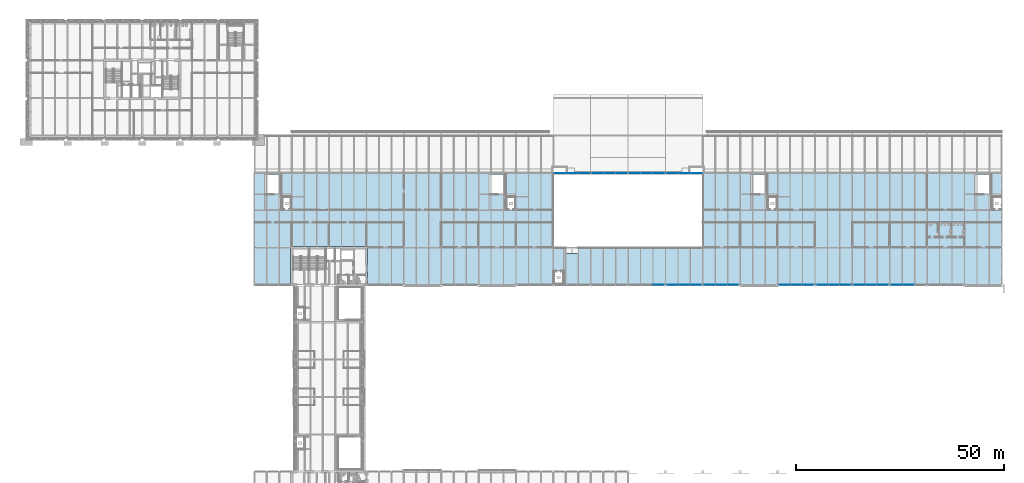
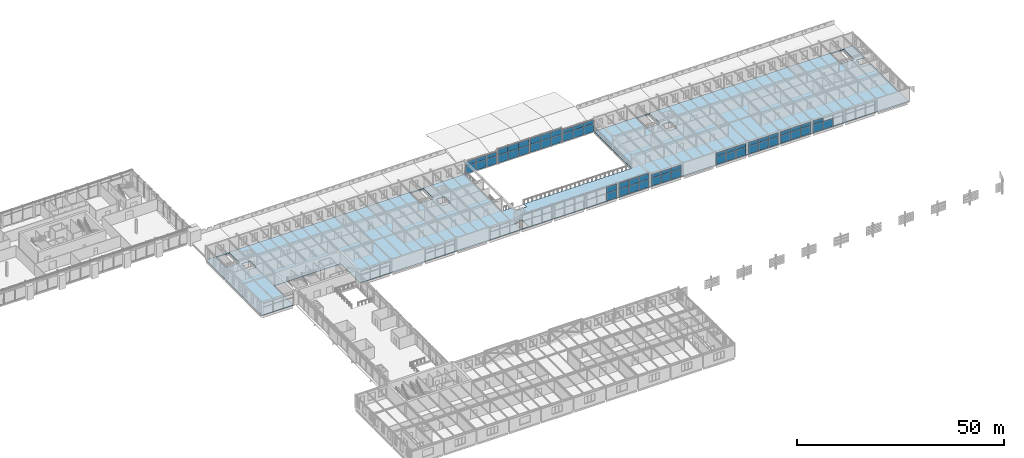
# One storey, part 56 of 123: 59 plates, 1 slab, 11 elements without a shape of their own.
"""IFC4 building model written with IfcOpenShell, lengths in metres."""

from ifc_helpers import new_model, si_unit, direction, frame, origin, origin_2d, place, context, subcontext, project, spatial, polyline, rectangle, outline, extrude, material, layer, layer_set, type_object, element, aggregate, save


model = new_model("IFC4")

# Units and contexts
model_context = context("Model", 3, precision=1e-05, world=origin(), true_north=direction((0.0, 1.0)))
body_context = subcontext(model_context, "Body", "Model", "MODEL_VIEW")
ifc_project = project(units=[si_unit("LENGTHUNIT", "METRE"), si_unit("AREAUNIT", "SQUARE_METRE"), si_unit("VOLUMEUNIT", "CUBIC_METRE"), si_unit("PLANEANGLEUNIT", "RADIAN"), si_unit("MASSUNIT", "GRAM", prefix="KILO")], contexts=[model_context])

# Site, building, storey
site_placement = place(None, origin())
site = spatial("IfcSite", under=ifc_project, at=site_placement, CompositionType="ELEMENT")
building_placement = place(site_placement, origin())
building = spatial("IfcBuilding", under=site, at=building_placement, Name="Baradari Gate Terminus", CompositionType="ELEMENT")
storey_placement = place(building_placement, frame((0.0, 0.0, 7.5)))
storey = spatial("IfcBuildingStorey", under=building, at=storey_placement, Name="L01", CompositionType="ELEMENT", Elevation=7.5)

# Slab
ifc_material_1 = material(Name="Concrete C35/45", Category="concrete")
ifc_layer_1 = layer(ifc_material_1, 0.1298828125)
ifc_layer_set_1 = layer_set([ifc_layer_1], Name="Concrete C35/45")
slab_type = type_object("IfcSlabType", Name="Composite floor slab SL1 130", PredefinedType="FLOOR", material=ifc_layer_set_1)
slab_placement = place(storey_placement, frame((0.0, 0.0, -0.1298828125)))
element("IfcSlab", 1, at=slab_placement, inside=storey, type_object=slab_type, Name="Head-house floor", PredefinedType="FLOOR", context=body_context, shape_type="SweptSolid", body=[
    extrude(outline(polyline([(240.60009765625, 99.199951171875), (240.60009765625, 102.199951171875), (243.0, 102.199951171875), (243.0, 108.0), (171.0, 108.0), (171.0, 90.0), (141.0, 90.0), (141.0, 88.60009765625), (138.0, 88.60009765625), (138.0, 90.0), (135.0, 90.0), (135.0, 108.0), (63.0, 108.0), (63.0, 81.0), (71.699951171875, 81.0), (71.699951171875, 81.300048828125), (71.699951171875, 89.699951171875), (71.699951171875, 90.300048828125), (90.300048828125, 90.300048828125), (90.300048828125, 89.699951171875), (90.300048828125, 81.300048828125), (90.300048828125, 81.0), (243.0, 81.0), (243.0, 99.199951171875), (240.60009765625, 99.199951171875)]), holes=[polyline([(240.39990234375, 102.800048828125), (240.39990234375, 107.60009765625), (236.60009765625, 107.60009765625), (236.60009765625, 102.800048828125), (240.39990234375, 102.800048828125)]), polyline([(189.0, 102.199951171875), (186.60009765625, 102.199951171875), (186.60009765625, 99.199951171875), (189.0, 99.199951171875), (189.0, 102.199951171875)]), polyline([(182.60009765625, 107.60009765625), (182.60009765625, 102.800048828125), (186.39990234375, 102.800048828125), (186.39990234375, 107.60009765625), (182.60009765625, 107.60009765625)]), polyline([(135.199951171875, 81.300048828125), (137.39990234375, 81.300048828125), (137.39990234375, 84.39990234375), (135.199951171875, 84.39990234375), (135.199951171875, 81.300048828125)]), polyline([(123.60009765625, 99.199951171875), (126.0, 99.199951171875), (126.0, 102.199951171875), (123.60009765625, 102.199951171875), (123.60009765625, 99.199951171875)]), polyline([(123.39990234375, 102.800048828125), (123.39990234375, 107.60009765625), (119.60009765625, 107.60009765625), (119.60009765625, 102.800048828125), (123.39990234375, 102.800048828125)]), polyline([(72.0, 102.199951171875), (69.60009765625, 102.199951171875), (69.60009765625, 99.199951171875), (72.0, 99.199951171875), (72.0, 102.199951171875)]), polyline([(65.60009765625, 107.60009765625), (65.60009765625, 102.800048828125), (69.39990234375, 102.800048828125), (69.39990234375, 107.60009765625), (65.60009765625, 107.60009765625)])]), origin(), (0.0, 0.0, 1.0), 0.1298828125),
])

# Curtain wall, plates
ifc_material_2 = material(Name="Aluminium 6063-T6", Category="aluminium")
curtain_wall_type_1 = type_object("IfcCurtainWallType", Name="Curtain wall CW-11 concourse gallery glazing, other height", PredefinedType="NOTDEFINED", material=ifc_material_2)
curtain_wall_1_placement = place(storey_placement, origin())
curtain_wall_1 = element("IfcCurtainWall", 2, at=curtain_wall_1_placement, inside=storey, type_object=curtain_wall_type_1, Name="Glazed curtain wall CW-11 HS bay 18 L01", PredefinedType="NOTDEFINED")
ifc_material_3 = material(Name="Insulating glass unit", Category="glass")
ifc_layer_2 = layer(ifc_material_3, 0.0400390625)
ifc_layer_set_2 = layer_set([ifc_layer_2], Name="Insulating glass unit")
plate_type_1 = type_object("IfcPlateType", Name="Curtain wall glazing unit CP-11 40", PredefinedType="CURTAIN_PANEL", material=ifc_layer_set_2)
plate_1_placement = place(storey_placement, frame((160.276611328125, 81.0, 0.080078125), z_axis=(0.0, 0.0, 1.0), x_axis=(1.0, 0.0, 0.0)))
plate_1 = element("IfcPlate", 3, at=plate_1_placement, type_object=plate_type_1, Name="CW-11 panel 3.1", PredefinedType="CURTAIN_PANEL", context=body_context, shape_type="SweptSolid", body=[
    extrude(rectangle(XDim=2.6767578125, YDim=0.0400390625, at=origin_2d()), origin(), (0.0, 0.0, 1.0), 2.280029296875),
])
plate_2_placement = place(storey_placement, frame((160.276611328125, 81.0, 2.43994140625), z_axis=(0.0, 0.0, 1.0), x_axis=(1.0, 0.0, 0.0)))
plate_2 = element("IfcPlate", 4, at=plate_2_placement, type_object=plate_type_1, Name="CW-11 panel 3.2", PredefinedType="CURTAIN_PANEL", context=body_context, shape_type="SweptSolid", body=[
    extrude(rectangle(XDim=2.6767578125, YDim=0.0400390625, at=origin_2d()), origin(), (0.0, 0.0, 1.0), 1.679931640625),
])
aggregate(curtain_wall_1, [plate_1, plate_2])

curtain_wall_2_placement = place(storey_placement, origin())
curtain_wall_2 = element("IfcCurtainWall", 5, at=curtain_wall_2_placement, inside=storey, type_object=curtain_wall_type_1, Name="Glazed curtain wall CW-11 HS bay 19 L01", PredefinedType="NOTDEFINED")
plate_3_placement = place(storey_placement, frame((163.723388671875, 81.0, 0.080078125), z_axis=(0.0, 0.0, 1.0), x_axis=(1.0, 0.0, 0.0)))
plate_3 = element("IfcPlate", 6, at=plate_3_placement, type_object=plate_type_1, Name="CW-11 panel 1.1", PredefinedType="CURTAIN_PANEL", context=body_context, shape_type="SweptSolid", body=[
    extrude(rectangle(XDim=2.6767578125, YDim=0.0400390625, at=origin_2d()), origin(), (0.0, 0.0, 1.0), 2.280029296875),
])
plate_4_placement = place(storey_placement, frame((163.723388671875, 81.0, 2.43994140625), z_axis=(0.0, 0.0, 1.0), x_axis=(1.0, 0.0, 0.0)))
plate_4 = element("IfcPlate", 7, at=plate_4_placement, type_object=plate_type_1, Name="CW-11 panel 1.2", PredefinedType="CURTAIN_PANEL", context=body_context, shape_type="SweptSolid", body=[
    extrude(rectangle(XDim=2.6767578125, YDim=0.0400390625, at=origin_2d()), origin(), (0.0, 0.0, 1.0), 1.679931640625),
])
plate_5_placement = place(storey_placement, frame((166.5, 81.0, 0.080078125), z_axis=(0.0, 0.0, 1.0), x_axis=(1.0, 0.0, 0.0)))
plate_5 = element("IfcPlate", 8, at=plate_5_placement, type_object=plate_type_1, Name="CW-11 panel 2.1", PredefinedType="CURTAIN_PANEL", context=body_context, shape_type="SweptSolid", body=[
    extrude(rectangle(XDim=2.716552734375, YDim=0.0400390625, at=origin_2d()), origin(), (0.0, 0.0, 1.0), 2.280029296875),
])
plate_6_placement = place(storey_placement, frame((166.5, 81.0, 2.43994140625), z_axis=(0.0, 0.0, 1.0), x_axis=(1.0, 0.0, 0.0)))
plate_6 = element("IfcPlate", 9, at=plate_6_placement, type_object=plate_type_1, Name="CW-11 panel 2.2", PredefinedType="CURTAIN_PANEL", context=body_context, shape_type="SweptSolid", body=[
    extrude(rectangle(XDim=2.716552734375, YDim=0.0400390625, at=origin_2d()), origin(), (0.0, 0.0, 1.0), 1.679931640625),
])
plate_7_placement = place(storey_placement, frame((169.276611328125, 81.0, 0.080078125), z_axis=(0.0, 0.0, 1.0), x_axis=(1.0, 0.0, 0.0)))
plate_7 = element("IfcPlate", 10, at=plate_7_placement, type_object=plate_type_1, Name="CW-11 panel 3.1", PredefinedType="CURTAIN_PANEL", context=body_context, shape_type="SweptSolid", body=[
    extrude(rectangle(XDim=2.6767578125, YDim=0.0400390625, at=origin_2d()), origin(), (0.0, 0.0, 1.0), 2.280029296875),
])
plate_8_placement = place(storey_placement, frame((169.276611328125, 81.0, 2.43994140625), z_axis=(0.0, 0.0, 1.0), x_axis=(1.0, 0.0, 0.0)))
plate_8 = element("IfcPlate", 11, at=plate_8_placement, type_object=plate_type_1, Name="CW-11 panel 3.2", PredefinedType="CURTAIN_PANEL", context=body_context, shape_type="SweptSolid", body=[
    extrude(rectangle(XDim=2.6767578125, YDim=0.0400390625, at=origin_2d()), origin(), (0.0, 0.0, 1.0), 1.679931640625),
])
aggregate(curtain_wall_2, [plate_3, plate_4, plate_5, plate_6, plate_7, plate_8])

ifc_material_4 = material(Name="Aluminium 6063-T6", Category="aluminium")
curtain_wall_type_2 = type_object("IfcCurtainWallType", Name="Curtain wall CW-13 concourse gallery glazing", PredefinedType="NOTDEFINED", material=ifc_material_4)
curtain_wall_3_placement = place(storey_placement, origin())
curtain_wall_3 = element("IfcCurtainWall", 12, at=curtain_wall_3_placement, inside=storey, type_object=curtain_wall_type_2, Name="Glazed curtain wall CW-13 HS bay 20 L01", PredefinedType="NOTDEFINED")
ifc_material_5 = material(Name="Insulating glass unit", Category="glass")
ifc_layer_3 = layer(ifc_material_5, 0.0400390625)
ifc_layer_set_3 = layer_set([ifc_layer_3], Name="Insulating glass unit")
plate_type_2 = type_object("IfcPlateType", Name="Curtain wall glazing unit CP-13 40", PredefinedType="CURTAIN_PANEL", material=ifc_layer_set_3)
plate_9_placement = place(storey_placement, frame((172.71484375, 81.0, 0.080078125), z_axis=(0.0, 0.0, 1.0), x_axis=(1.0, 0.0, 0.0)))
plate_9 = element("IfcPlate", 13, at=plate_9_placement, type_object=plate_type_2, Name="CW-13 panel 1.1", PredefinedType="CURTAIN_PANEL", context=body_context, shape_type="SweptSolid", body=[
    extrude(rectangle(XDim=2.659912109375, YDim=0.0400390625, at=origin_2d()), origin(), (0.0, 0.0, 1.0), 2.280029296875),
])
plate_10_placement = place(storey_placement, frame((172.71484375, 81.0, 2.43994140625), z_axis=(0.0, 0.0, 1.0), x_axis=(1.0, 0.0, 0.0)))
plate_10 = element("IfcPlate", 14, at=plate_10_placement, type_object=plate_type_2, Name="CW-13 panel 1.2", PredefinedType="CURTAIN_PANEL", context=body_context, shape_type="SweptSolid", body=[
    extrude(rectangle(XDim=2.659912109375, YDim=0.0400390625, at=origin_2d()), origin(), (0.0, 0.0, 1.0), 0.996826171875),
])
plate_11_placement = place(storey_placement, frame((175.474853515625, 81.0, 0.080078125), z_axis=(0.0, 0.0, 1.0), x_axis=(1.0, 0.0, 0.0)))
plate_11 = element("IfcPlate", 15, at=plate_11_placement, type_object=plate_type_2, Name="CW-13 panel 2.1", PredefinedType="CURTAIN_PANEL", context=body_context, shape_type="SweptSolid", body=[
    extrude(rectangle(XDim=2.699951171875, YDim=0.0400390625, at=origin_2d()), origin(), (0.0, 0.0, 1.0), 2.280029296875),
])
plate_12_placement = place(storey_placement, frame((175.474853515625, 81.0, 2.43994140625), z_axis=(0.0, 0.0, 1.0), x_axis=(1.0, 0.0, 0.0)))
plate_12 = element("IfcPlate", 16, at=plate_12_placement, type_object=plate_type_2, Name="CW-13 panel 2.2", PredefinedType="CURTAIN_PANEL", context=body_context, shape_type="SweptSolid", body=[
    extrude(rectangle(XDim=2.699951171875, YDim=0.0400390625, at=origin_2d()), origin(), (0.0, 0.0, 1.0), 0.996826171875),
])
plate_13_placement = place(storey_placement, frame((178.234619140625, 81.0, 0.080078125), z_axis=(0.0, 0.0, 1.0), x_axis=(1.0, 0.0, 0.0)))
plate_13 = element("IfcPlate", 17, at=plate_13_placement, type_object=plate_type_2, Name="CW-13 panel 3.1", PredefinedType="CURTAIN_PANEL", context=body_context, shape_type="SweptSolid", body=[
    extrude(rectangle(XDim=2.659912109375, YDim=0.0400390625, at=origin_2d()), origin(), (0.0, 0.0, 1.0), 2.280029296875),
])
plate_14_placement = place(storey_placement, frame((178.234619140625, 81.0, 2.43994140625), z_axis=(0.0, 0.0, 1.0), x_axis=(1.0, 0.0, 0.0)))
plate_14 = element("IfcPlate", 18, at=plate_14_placement, type_object=plate_type_2, Name="CW-13 panel 3.2", PredefinedType="CURTAIN_PANEL", context=body_context, shape_type="SweptSolid", body=[
    extrude(rectangle(XDim=2.659912109375, YDim=0.0400390625, at=origin_2d()), origin(), (0.0, 0.0, 1.0), 0.996826171875),
])
aggregate(curtain_wall_3, [plate_9, plate_10, plate_11, plate_12, plate_13, plate_14])

curtain_wall_4_placement = place(storey_placement, origin())
curtain_wall_4 = element("IfcCurtainWall", 19, at=curtain_wall_4_placement, inside=storey, type_object=curtain_wall_type_2, Name="Glazed curtain wall CW-13 HS bay 22 L01", PredefinedType="NOTDEFINED")
plate_15_placement = place(storey_placement, frame((190.765380859375, 81.0, 0.080078125), z_axis=(0.0, 0.0, 1.0), x_axis=(1.0, 0.0, 0.0)))
plate_15 = element("IfcPlate", 20, at=plate_15_placement, type_object=plate_type_2, Name="CW-13 panel 1.1", PredefinedType="CURTAIN_PANEL", context=body_context, shape_type="SweptSolid", body=[
    extrude(rectangle(XDim=2.659912109375, YDim=0.0400390625, at=origin_2d()), origin(), (0.0, 0.0, 1.0), 2.280029296875),
])
plate_16_placement = place(storey_placement, frame((190.765380859375, 81.0, 2.43994140625), z_axis=(0.0, 0.0, 1.0), x_axis=(1.0, 0.0, 0.0)))
plate_16 = element("IfcPlate", 21, at=plate_16_placement, type_object=plate_type_2, Name="CW-13 panel 1.2", PredefinedType="CURTAIN_PANEL", context=body_context, shape_type="SweptSolid", body=[
    extrude(rectangle(XDim=2.659912109375, YDim=0.0400390625, at=origin_2d()), origin(), (0.0, 0.0, 1.0), 0.996826171875),
])
plate_17_placement = place(storey_placement, frame((193.525146484375, 81.0, 0.080078125), z_axis=(0.0, 0.0, 1.0), x_axis=(1.0, 0.0, 0.0)))
plate_17 = element("IfcPlate", 22, at=plate_17_placement, type_object=plate_type_2, Name="CW-13 panel 2.1", PredefinedType="CURTAIN_PANEL", context=body_context, shape_type="SweptSolid", body=[
    extrude(rectangle(XDim=2.699951171875, YDim=0.0400390625, at=origin_2d()), origin(), (0.0, 0.0, 1.0), 2.280029296875),
])
plate_18_placement = place(storey_placement, frame((193.525146484375, 81.0, 2.43994140625), z_axis=(0.0, 0.0, 1.0), x_axis=(1.0, 0.0, 0.0)))
plate_18 = element("IfcPlate", 23, at=plate_18_placement, type_object=plate_type_2, Name="CW-13 panel 2.2", PredefinedType="CURTAIN_PANEL", context=body_context, shape_type="SweptSolid", body=[
    extrude(rectangle(XDim=2.699951171875, YDim=0.0400390625, at=origin_2d()), origin(), (0.0, 0.0, 1.0), 0.996826171875),
])
plate_19_placement = place(storey_placement, frame((196.28515625, 81.0, 0.080078125), z_axis=(0.0, 0.0, 1.0), x_axis=(1.0, 0.0, 0.0)))
plate_19 = element("IfcPlate", 24, at=plate_19_placement, type_object=plate_type_2, Name="CW-13 panel 3.1", PredefinedType="CURTAIN_PANEL", context=body_context, shape_type="SweptSolid", body=[
    extrude(rectangle(XDim=2.659912109375, YDim=0.0400390625, at=origin_2d()), origin(), (0.0, 0.0, 1.0), 2.280029296875),
])
plate_20_placement = place(storey_placement, frame((196.28515625, 81.0, 2.43994140625), z_axis=(0.0, 0.0, 1.0), x_axis=(1.0, 0.0, 0.0)))
plate_20 = element("IfcPlate", 25, at=plate_20_placement, type_object=plate_type_2, Name="CW-13 panel 3.2", PredefinedType="CURTAIN_PANEL", context=body_context, shape_type="SweptSolid", body=[
    extrude(rectangle(XDim=2.659912109375, YDim=0.0400390625, at=origin_2d()), origin(), (0.0, 0.0, 1.0), 0.996826171875),
])
aggregate(curtain_wall_4, [plate_15, plate_16, plate_17, plate_18, plate_19, plate_20])

curtain_wall_5_placement = place(storey_placement, origin())
curtain_wall_5 = element("IfcCurtainWall", 26, at=curtain_wall_5_placement, inside=storey, type_object=curtain_wall_type_2, Name="Glazed curtain wall CW-13 HS bay 23 L01", PredefinedType="NOTDEFINED")
plate_21_placement = place(storey_placement, frame((199.723388671875, 81.0, 0.080078125), z_axis=(0.0, 0.0, 1.0), x_axis=(1.0, 0.0, 0.0)))
plate_21 = element("IfcPlate", 27, at=plate_21_placement, type_object=plate_type_2, Name="CW-13 panel 1.1", PredefinedType="CURTAIN_PANEL", context=body_context, shape_type="SweptSolid", body=[
    extrude(rectangle(XDim=2.6767578125, YDim=0.0400390625, at=origin_2d()), origin(), (0.0, 0.0, 1.0), 2.280029296875),
])
plate_22_placement = place(storey_placement, frame((199.723388671875, 81.0, 2.43994140625), z_axis=(0.0, 0.0, 1.0), x_axis=(1.0, 0.0, 0.0)))
plate_22 = element("IfcPlate", 28, at=plate_22_placement, type_object=plate_type_2, Name="CW-13 panel 1.2", PredefinedType="CURTAIN_PANEL", context=body_context, shape_type="SweptSolid", body=[
    extrude(rectangle(XDim=2.6767578125, YDim=0.0400390625, at=origin_2d()), origin(), (0.0, 0.0, 1.0), 0.996826171875),
])
plate_23_placement = place(storey_placement, frame((202.5, 81.0, 0.080078125), z_axis=(0.0, 0.0, 1.0), x_axis=(1.0, 0.0, 0.0)))
plate_23 = element("IfcPlate", 29, at=plate_23_placement, type_object=plate_type_2, Name="CW-13 panel 2.1", PredefinedType="CURTAIN_PANEL", context=body_context, shape_type="SweptSolid", body=[
    extrude(rectangle(XDim=2.716552734375, YDim=0.0400390625, at=origin_2d()), origin(), (0.0, 0.0, 1.0), 2.280029296875),
])
plate_24_placement = place(storey_placement, frame((202.5, 81.0, 2.43994140625), z_axis=(0.0, 0.0, 1.0), x_axis=(1.0, 0.0, 0.0)))
plate_24 = element("IfcPlate", 30, at=plate_24_placement, type_object=plate_type_2, Name="CW-13 panel 2.2", PredefinedType="CURTAIN_PANEL", context=body_context, shape_type="SweptSolid", body=[
    extrude(rectangle(XDim=2.716552734375, YDim=0.0400390625, at=origin_2d()), origin(), (0.0, 0.0, 1.0), 0.996826171875),
])
plate_25_placement = place(storey_placement, frame((205.276611328125, 81.0, 0.080078125), z_axis=(0.0, 0.0, 1.0), x_axis=(1.0, 0.0, 0.0)))
plate_25 = element("IfcPlate", 31, at=plate_25_placement, type_object=plate_type_2, Name="CW-13 panel 3.1", PredefinedType="CURTAIN_PANEL", context=body_context, shape_type="SweptSolid", body=[
    extrude(rectangle(XDim=2.6767578125, YDim=0.0400390625, at=origin_2d()), origin(), (0.0, 0.0, 1.0), 2.280029296875),
])
plate_26_placement = place(storey_placement, frame((205.276611328125, 81.0, 2.43994140625), z_axis=(0.0, 0.0, 1.0), x_axis=(1.0, 0.0, 0.0)))
plate_26 = element("IfcPlate", 32, at=plate_26_placement, type_object=plate_type_2, Name="CW-13 panel 3.2", PredefinedType="CURTAIN_PANEL", context=body_context, shape_type="SweptSolid", body=[
    extrude(rectangle(XDim=2.6767578125, YDim=0.0400390625, at=origin_2d()), origin(), (0.0, 0.0, 1.0), 0.996826171875),
])
aggregate(curtain_wall_5, [plate_21, plate_22, plate_23, plate_24, plate_25, plate_26])

curtain_wall_6_placement = place(storey_placement, origin())
curtain_wall_6 = element("IfcCurtainWall", 33, at=curtain_wall_6_placement, inside=storey, type_object=curtain_wall_type_2, Name="Glazed curtain wall CW-13 HS bay 24 L01", PredefinedType="NOTDEFINED")
plate_27_placement = place(storey_placement, frame((208.723388671875, 81.0, 0.080078125), z_axis=(0.0, 0.0, 1.0), x_axis=(1.0, 0.0, 0.0)))
plate_27 = element("IfcPlate", 34, at=plate_27_placement, type_object=plate_type_2, Name="CW-13 panel 1.1", PredefinedType="CURTAIN_PANEL", context=body_context, shape_type="SweptSolid", body=[
    extrude(rectangle(XDim=2.6767578125, YDim=0.0400390625, at=origin_2d()), origin(), (0.0, 0.0, 1.0), 2.280029296875),
])
plate_28_placement = place(storey_placement, frame((208.723388671875, 81.0, 2.43994140625), z_axis=(0.0, 0.0, 1.0), x_axis=(1.0, 0.0, 0.0)))
plate_28 = element("IfcPlate", 35, at=plate_28_placement, type_object=plate_type_2, Name="CW-13 panel 1.2", PredefinedType="CURTAIN_PANEL", context=body_context, shape_type="SweptSolid", body=[
    extrude(rectangle(XDim=2.6767578125, YDim=0.0400390625, at=origin_2d()), origin(), (0.0, 0.0, 1.0), 0.996826171875),
])
plate_29_placement = place(storey_placement, frame((211.5, 81.0, 0.080078125), z_axis=(0.0, 0.0, 1.0), x_axis=(1.0, 0.0, 0.0)))
plate_29 = element("IfcPlate", 36, at=plate_29_placement, type_object=plate_type_2, Name="CW-13 panel 2.1", PredefinedType="CURTAIN_PANEL", context=body_context, shape_type="SweptSolid", body=[
    extrude(rectangle(XDim=2.716552734375, YDim=0.0400390625, at=origin_2d()), origin(), (0.0, 0.0, 1.0), 2.280029296875),
])
plate_30_placement = place(storey_placement, frame((211.5, 81.0, 2.43994140625), z_axis=(0.0, 0.0, 1.0), x_axis=(1.0, 0.0, 0.0)))
plate_30 = element("IfcPlate", 37, at=plate_30_placement, type_object=plate_type_2, Name="CW-13 panel 2.2", PredefinedType="CURTAIN_PANEL", context=body_context, shape_type="SweptSolid", body=[
    extrude(rectangle(XDim=2.716552734375, YDim=0.0400390625, at=origin_2d()), origin(), (0.0, 0.0, 1.0), 0.996826171875),
])
plate_31_placement = place(storey_placement, frame((214.276611328125, 81.0, 0.080078125), z_axis=(0.0, 0.0, 1.0), x_axis=(1.0, 0.0, 0.0)))
plate_31 = element("IfcPlate", 38, at=plate_31_placement, type_object=plate_type_2, Name="CW-13 panel 3.1", PredefinedType="CURTAIN_PANEL", context=body_context, shape_type="SweptSolid", body=[
    extrude(rectangle(XDim=2.6767578125, YDim=0.0400390625, at=origin_2d()), origin(), (0.0, 0.0, 1.0), 2.280029296875),
])
plate_32_placement = place(storey_placement, frame((214.276611328125, 81.0, 2.43994140625), z_axis=(0.0, 0.0, 1.0), x_axis=(1.0, 0.0, 0.0)))
plate_32 = element("IfcPlate", 39, at=plate_32_placement, type_object=plate_type_2, Name="CW-13 panel 3.2", PredefinedType="CURTAIN_PANEL", context=body_context, shape_type="SweptSolid", body=[
    extrude(rectangle(XDim=2.6767578125, YDim=0.0400390625, at=origin_2d()), origin(), (0.0, 0.0, 1.0), 0.996826171875),
])
aggregate(curtain_wall_6, [plate_27, plate_28, plate_29, plate_30, plate_31, plate_32])

curtain_wall_7_placement = place(storey_placement, origin())
curtain_wall_7 = element("IfcCurtainWall", 40, at=curtain_wall_7_placement, inside=storey, type_object=curtain_wall_type_2, Name="Glazed curtain wall CW-13 HS bay 25 L01", PredefinedType="NOTDEFINED")
plate_33_placement = place(storey_placement, frame((217.723388671875, 81.0, 0.080078125), z_axis=(0.0, 0.0, 1.0), x_axis=(1.0, 0.0, 0.0)))
plate_33 = element("IfcPlate", 41, at=plate_33_placement, type_object=plate_type_2, Name="CW-13 panel 1.1", PredefinedType="CURTAIN_PANEL", context=body_context, shape_type="SweptSolid", body=[
    extrude(rectangle(XDim=2.6767578125, YDim=0.0400390625, at=origin_2d()), origin(), (0.0, 0.0, 1.0), 2.280029296875),
])
plate_34_placement = place(storey_placement, frame((217.723388671875, 81.0, 2.43994140625), z_axis=(0.0, 0.0, 1.0), x_axis=(1.0, 0.0, 0.0)))
plate_34 = element("IfcPlate", 42, at=plate_34_placement, type_object=plate_type_2, Name="CW-13 panel 1.2", PredefinedType="CURTAIN_PANEL", context=body_context, shape_type="SweptSolid", body=[
    extrude(rectangle(XDim=2.6767578125, YDim=0.0400390625, at=origin_2d()), origin(), (0.0, 0.0, 1.0), 0.996826171875),
])
plate_35_placement = place(storey_placement, frame((220.5, 81.0, 0.080078125), z_axis=(0.0, 0.0, 1.0), x_axis=(1.0, 0.0, 0.0)))
plate_35 = element("IfcPlate", 43, at=plate_35_placement, type_object=plate_type_2, Name="CW-13 panel 2.1", PredefinedType="CURTAIN_PANEL", context=body_context, shape_type="SweptSolid", body=[
    extrude(rectangle(XDim=2.716552734375, YDim=0.0400390625, at=origin_2d()), origin(), (0.0, 0.0, 1.0), 2.280029296875),
])
aggregate(curtain_wall_7, [plate_33, plate_34, plate_35])

ifc_material_6 = material(Name="Aluminium 6063-T6", Category="aluminium")
curtain_wall_type_3 = type_object("IfcCurtainWallType", Name="Curtain wall CW-13 ticket hall clerestory, other height", PredefinedType="NOTDEFINED", material=ifc_material_6)
curtain_wall_8_placement = place(storey_placement, origin())
curtain_wall_8 = element("IfcCurtainWall", 44, at=curtain_wall_8_placement, inside=storey, type_object=curtain_wall_type_3, Name="Glazed curtain wall CW-13 HN bay 17 L01", PredefinedType="NOTDEFINED")
ifc_material_7 = material(Name="Insulating glass unit", Category="glass")
ifc_layer_4 = layer(ifc_material_7, 0.050048828125)
ifc_layer_set_4 = layer_set([ifc_layer_4], Name="Insulating glass unit")
plate_type_3 = type_object("IfcPlateType", Name="Curtain wall glazing unit CP-13 50", PredefinedType="CURTAIN_PANEL", material=ifc_layer_set_4)
plate_36_placement = place(storey_placement, frame((145.6015625, 107.87841796875, 0.06494140625), z_axis=(0.0, 0.0, 1.0), x_axis=(1.0, 0.0, 0.0)))
plate_36 = element("IfcPlate", 45, at=plate_36_placement, type_object=plate_type_3, Name="CW-13 panel 1.1", PredefinedType="CURTAIN_PANEL", context=body_context, shape_type="SweptSolid", body=[
    extrude(rectangle(XDim=2.817138671875, YDim=0.050048828125, at=origin_2d()), origin(), (0.0, 0.0, 1.0), 2.302490234375),
])
plate_37_placement = place(storey_placement, frame((145.6015625, 107.87841796875, 2.4326171875), z_axis=(0.0, 0.0, 1.0), x_axis=(1.0, 0.0, 0.0)))
plate_37 = element("IfcPlate", 46, at=plate_37_placement, type_object=plate_type_3, Name="CW-13 panel 1.2", PredefinedType="CURTAIN_PANEL", context=body_context, shape_type="SweptSolid", body=[
    extrude(rectangle(XDim=2.817138671875, YDim=0.050048828125, at=origin_2d()), origin(), (0.0, 0.0, 1.0), 1.702392578125),
])
plate_38_placement = place(storey_placement, frame((148.5, 107.87841796875, 0.06494140625), z_axis=(0.0, 0.0, 1.0), x_axis=(1.0, 0.0, 0.0)))
plate_38 = element("IfcPlate", 47, at=plate_38_placement, type_object=plate_type_3, Name="CW-13 panel 2.1", PredefinedType="CURTAIN_PANEL", context=body_context, shape_type="SweptSolid", body=[
    extrude(rectangle(XDim=2.849609375, YDim=0.050048828125, at=origin_2d()), origin(), (0.0, 0.0, 1.0), 2.302490234375),
])
plate_39_placement = place(storey_placement, frame((148.5, 107.87841796875, 2.4326171875), z_axis=(0.0, 0.0, 1.0), x_axis=(1.0, 0.0, 0.0)))
plate_39 = element("IfcPlate", 48, at=plate_39_placement, type_object=plate_type_3, Name="CW-13 panel 2.2", PredefinedType="CURTAIN_PANEL", context=body_context, shape_type="SweptSolid", body=[
    extrude(rectangle(XDim=2.849609375, YDim=0.050048828125, at=origin_2d()), origin(), (0.0, 0.0, 1.0), 1.702392578125),
])
plate_40_placement = place(storey_placement, frame((151.3984375, 107.87841796875, 0.06494140625), z_axis=(0.0, 0.0, 1.0), x_axis=(1.0, 0.0, 0.0)))
plate_40 = element("IfcPlate", 49, at=plate_40_placement, type_object=plate_type_3, Name="CW-13 panel 3.1", PredefinedType="CURTAIN_PANEL", context=body_context, shape_type="SweptSolid", body=[
    extrude(rectangle(XDim=2.817138671875, YDim=0.050048828125, at=origin_2d()), origin(), (0.0, 0.0, 1.0), 2.302490234375),
])
plate_41_placement = place(storey_placement, frame((151.3984375, 107.87841796875, 2.4326171875), z_axis=(0.0, 0.0, 1.0), x_axis=(1.0, 0.0, 0.0)))
plate_41 = element("IfcPlate", 50, at=plate_41_placement, type_object=plate_type_3, Name="CW-13 panel 3.2", PredefinedType="CURTAIN_PANEL", context=body_context, shape_type="SweptSolid", body=[
    extrude(rectangle(XDim=2.817138671875, YDim=0.050048828125, at=origin_2d()), origin(), (0.0, 0.0, 1.0), 1.702392578125),
])
aggregate(curtain_wall_8, [plate_36, plate_37, plate_38, plate_39, plate_40, plate_41])

curtain_wall_9_placement = place(storey_placement, origin())
curtain_wall_9 = element("IfcCurtainWall", 51, at=curtain_wall_9_placement, inside=storey, type_object=curtain_wall_type_3, Name="Glazed curtain wall CW-13 HN bay 18 L01", PredefinedType="NOTDEFINED")
plate_42_placement = place(storey_placement, frame((154.6015625, 107.87841796875, 0.06494140625), z_axis=(0.0, 0.0, 1.0), x_axis=(1.0, 0.0, 0.0)))
plate_42 = element("IfcPlate", 52, at=plate_42_placement, type_object=plate_type_3, Name="CW-13 panel 1.1", PredefinedType="CURTAIN_PANEL", context=body_context, shape_type="SweptSolid", body=[
    extrude(rectangle(XDim=2.817138671875, YDim=0.050048828125, at=origin_2d()), origin(), (0.0, 0.0, 1.0), 2.302490234375),
])
plate_43_placement = place(storey_placement, frame((154.6015625, 107.87841796875, 2.4326171875), z_axis=(0.0, 0.0, 1.0), x_axis=(1.0, 0.0, 0.0)))
plate_43 = element("IfcPlate", 53, at=plate_43_placement, type_object=plate_type_3, Name="CW-13 panel 1.2", PredefinedType="CURTAIN_PANEL", context=body_context, shape_type="SweptSolid", body=[
    extrude(rectangle(XDim=2.817138671875, YDim=0.050048828125, at=origin_2d()), origin(), (0.0, 0.0, 1.0), 1.702392578125),
])
plate_44_placement = place(storey_placement, frame((157.5, 107.87841796875, 0.06494140625), z_axis=(0.0, 0.0, 1.0), x_axis=(1.0, 0.0, 0.0)))
plate_44 = element("IfcPlate", 54, at=plate_44_placement, type_object=plate_type_3, Name="CW-13 panel 2.1", PredefinedType="CURTAIN_PANEL", context=body_context, shape_type="SweptSolid", body=[
    extrude(rectangle(XDim=2.849609375, YDim=0.050048828125, at=origin_2d()), origin(), (0.0, 0.0, 1.0), 2.302490234375),
])
plate_45_placement = place(storey_placement, frame((157.5, 107.87841796875, 2.4326171875), z_axis=(0.0, 0.0, 1.0), x_axis=(1.0, 0.0, 0.0)))
plate_45 = element("IfcPlate", 55, at=plate_45_placement, type_object=plate_type_3, Name="CW-13 panel 2.2", PredefinedType="CURTAIN_PANEL", context=body_context, shape_type="SweptSolid", body=[
    extrude(rectangle(XDim=2.849609375, YDim=0.050048828125, at=origin_2d()), origin(), (0.0, 0.0, 1.0), 1.702392578125),
])
plate_46_placement = place(storey_placement, frame((160.3984375, 107.87841796875, 0.06494140625), z_axis=(0.0, 0.0, 1.0), x_axis=(1.0, 0.0, 0.0)))
plate_46 = element("IfcPlate", 56, at=plate_46_placement, type_object=plate_type_3, Name="CW-13 panel 3.1", PredefinedType="CURTAIN_PANEL", context=body_context, shape_type="SweptSolid", body=[
    extrude(rectangle(XDim=2.817138671875, YDim=0.050048828125, at=origin_2d()), origin(), (0.0, 0.0, 1.0), 2.302490234375),
])
plate_47_placement = place(storey_placement, frame((160.3984375, 107.87841796875, 2.4326171875), z_axis=(0.0, 0.0, 1.0), x_axis=(1.0, 0.0, 0.0)))
plate_47 = element("IfcPlate", 57, at=plate_47_placement, type_object=plate_type_3, Name="CW-13 panel 3.2", PredefinedType="CURTAIN_PANEL", context=body_context, shape_type="SweptSolid", body=[
    extrude(rectangle(XDim=2.817138671875, YDim=0.050048828125, at=origin_2d()), origin(), (0.0, 0.0, 1.0), 1.702392578125),
])
aggregate(curtain_wall_9, [plate_42, plate_43, plate_44, plate_45, plate_46, plate_47])

ifc_material_8 = material(Name="Aluminium 6063-T6", Category="aluminium")
curtain_wall_type_4 = type_object("IfcCurtainWallType", Name="Curtain wall CW-4 ticket hall clerestory", PredefinedType="NOTDEFINED", material=ifc_material_8)
curtain_wall_10_placement = place(storey_placement, origin())
curtain_wall_10 = element("IfcCurtainWall", 58, at=curtain_wall_10_placement, inside=storey, type_object=curtain_wall_type_4, Name="Glazed curtain wall CW-4 HN bay 16 L01", PredefinedType="NOTDEFINED")
ifc_material_9 = material(Name="Insulating glass unit", Category="glass")
ifc_layer_5 = layer(ifc_material_9, 0.050048828125)
ifc_layer_set_5 = layer_set([ifc_layer_5], Name="Insulating glass unit")
plate_type_4 = type_object("IfcPlateType", Name="Curtain wall glazing unit CP-4 50", PredefinedType="CURTAIN_PANEL", material=ifc_layer_set_5)
plate_48_placement = place(storey_placement, frame((136.6015625, 107.87841796875, 0.06494140625), z_axis=(0.0, 0.0, 1.0), x_axis=(1.0, 0.0, 0.0)))
plate_48 = element("IfcPlate", 59, at=plate_48_placement, type_object=plate_type_4, Name="CW-4 panel 1.1", PredefinedType="CURTAIN_PANEL", context=body_context, shape_type="SweptSolid", body=[
    extrude(rectangle(XDim=2.817138671875, YDim=0.050048828125, at=origin_2d()), origin(), (0.0, 0.0, 1.0), 2.302490234375),
])
plate_49_placement = place(storey_placement, frame((136.6015625, 107.87841796875, 2.432373046875), z_axis=(0.0, 0.0, 1.0), x_axis=(1.0, 0.0, 0.0)))
plate_49 = element("IfcPlate", 60, at=plate_49_placement, type_object=plate_type_4, Name="CW-4 panel 1.2", PredefinedType="CURTAIN_PANEL", context=body_context, shape_type="SweptSolid", body=[
    extrude(rectangle(XDim=2.817138671875, YDim=0.050048828125, at=origin_2d()), origin(), (0.0, 0.0, 1.0), 1.1025390625),
])
plate_50_placement = place(storey_placement, frame((139.5, 107.87841796875, 0.06494140625), z_axis=(0.0, 0.0, 1.0), x_axis=(1.0, 0.0, 0.0)))
plate_50 = element("IfcPlate", 61, at=plate_50_placement, type_object=plate_type_4, Name="CW-4 panel 2.1", PredefinedType="CURTAIN_PANEL", context=body_context, shape_type="SweptSolid", body=[
    extrude(rectangle(XDim=2.849609375, YDim=0.050048828125, at=origin_2d()), origin(), (0.0, 0.0, 1.0), 2.302490234375),
])
plate_51_placement = place(storey_placement, frame((139.5, 107.87841796875, 2.432373046875), z_axis=(0.0, 0.0, 1.0), x_axis=(1.0, 0.0, 0.0)))
plate_51 = element("IfcPlate", 62, at=plate_51_placement, type_object=plate_type_4, Name="CW-4 panel 2.2", PredefinedType="CURTAIN_PANEL", context=body_context, shape_type="SweptSolid", body=[
    extrude(rectangle(XDim=2.849609375, YDim=0.050048828125, at=origin_2d()), origin(), (0.0, 0.0, 1.0), 1.1025390625),
])
plate_52_placement = place(storey_placement, frame((142.3984375, 107.87841796875, 0.06494140625), z_axis=(0.0, 0.0, 1.0), x_axis=(1.0, 0.0, 0.0)))
plate_52 = element("IfcPlate", 63, at=plate_52_placement, type_object=plate_type_4, Name="CW-4 panel 3.1", PredefinedType="CURTAIN_PANEL", context=body_context, shape_type="SweptSolid", body=[
    extrude(rectangle(XDim=2.817138671875, YDim=0.050048828125, at=origin_2d()), origin(), (0.0, 0.0, 1.0), 2.302490234375),
])
plate_53_placement = place(storey_placement, frame((142.3984375, 107.87841796875, 2.432373046875), z_axis=(0.0, 0.0, 1.0), x_axis=(1.0, 0.0, 0.0)))
plate_53 = element("IfcPlate", 64, at=plate_53_placement, type_object=plate_type_4, Name="CW-4 panel 3.2", PredefinedType="CURTAIN_PANEL", context=body_context, shape_type="SweptSolid", body=[
    extrude(rectangle(XDim=2.817138671875, YDim=0.050048828125, at=origin_2d()), origin(), (0.0, 0.0, 1.0), 1.1025390625),
])
aggregate(curtain_wall_10, [plate_48, plate_49, plate_50, plate_51, plate_52, plate_53])

curtain_wall_11_placement = place(storey_placement, origin())
curtain_wall_11 = element("IfcCurtainWall", 65, at=curtain_wall_11_placement, inside=storey, type_object=curtain_wall_type_4, Name="Glazed curtain wall CW-4 HN bay 19 L01", PredefinedType="NOTDEFINED")
plate_54_placement = place(storey_placement, frame((163.6015625, 107.87841796875, 0.06494140625), z_axis=(0.0, 0.0, 1.0), x_axis=(1.0, 0.0, 0.0)))
plate_54 = element("IfcPlate", 66, at=plate_54_placement, type_object=plate_type_4, Name="CW-4 panel 1.1", PredefinedType="CURTAIN_PANEL", context=body_context, shape_type="SweptSolid", body=[
    extrude(rectangle(XDim=2.817138671875, YDim=0.050048828125, at=origin_2d()), origin(), (0.0, 0.0, 1.0), 2.302490234375),
])
plate_55_placement = place(storey_placement, frame((163.6015625, 107.87841796875, 2.432373046875), z_axis=(0.0, 0.0, 1.0), x_axis=(1.0, 0.0, 0.0)))
plate_55 = element("IfcPlate", 67, at=plate_55_placement, type_object=plate_type_4, Name="CW-4 panel 1.2", PredefinedType="CURTAIN_PANEL", context=body_context, shape_type="SweptSolid", body=[
    extrude(rectangle(XDim=2.817138671875, YDim=0.050048828125, at=origin_2d()), origin(), (0.0, 0.0, 1.0), 1.1025390625),
])
plate_56_placement = place(storey_placement, frame((166.5, 107.87841796875, 0.06494140625), z_axis=(0.0, 0.0, 1.0), x_axis=(1.0, 0.0, 0.0)))
plate_56 = element("IfcPlate", 68, at=plate_56_placement, type_object=plate_type_4, Name="CW-4 panel 2.1", PredefinedType="CURTAIN_PANEL", context=body_context, shape_type="SweptSolid", body=[
    extrude(rectangle(XDim=2.849609375, YDim=0.050048828125, at=origin_2d()), origin(), (0.0, 0.0, 1.0), 2.302490234375),
])
plate_57_placement = place(storey_placement, frame((166.5, 107.87841796875, 2.432373046875), z_axis=(0.0, 0.0, 1.0), x_axis=(1.0, 0.0, 0.0)))
plate_57 = element("IfcPlate", 69, at=plate_57_placement, type_object=plate_type_4, Name="CW-4 panel 2.2", PredefinedType="CURTAIN_PANEL", context=body_context, shape_type="SweptSolid", body=[
    extrude(rectangle(XDim=2.849609375, YDim=0.050048828125, at=origin_2d()), origin(), (0.0, 0.0, 1.0), 1.1025390625),
])
plate_58_placement = place(storey_placement, frame((169.3984375, 107.87841796875, 0.06494140625), z_axis=(0.0, 0.0, 1.0), x_axis=(1.0, 0.0, 0.0)))
plate_58 = element("IfcPlate", 70, at=plate_58_placement, type_object=plate_type_4, Name="CW-4 panel 3.1", PredefinedType="CURTAIN_PANEL", context=body_context, shape_type="SweptSolid", body=[
    extrude(rectangle(XDim=2.817138671875, YDim=0.050048828125, at=origin_2d()), origin(), (0.0, 0.0, 1.0), 2.302490234375),
])
plate_59_placement = place(storey_placement, frame((169.3984375, 107.87841796875, 2.432373046875), z_axis=(0.0, 0.0, 1.0), x_axis=(1.0, 0.0, 0.0)))
plate_59 = element("IfcPlate", 71, at=plate_59_placement, type_object=plate_type_4, Name="CW-4 panel 3.2", PredefinedType="CURTAIN_PANEL", context=body_context, shape_type="SweptSolid", body=[
    extrude(rectangle(XDim=2.817138671875, YDim=0.050048828125, at=origin_2d()), origin(), (0.0, 0.0, 1.0), 1.1025390625),
])
aggregate(curtain_wall_11, [plate_54, plate_55, plate_56, plate_57, plate_58, plate_59])

save(model, "model.ifc")
